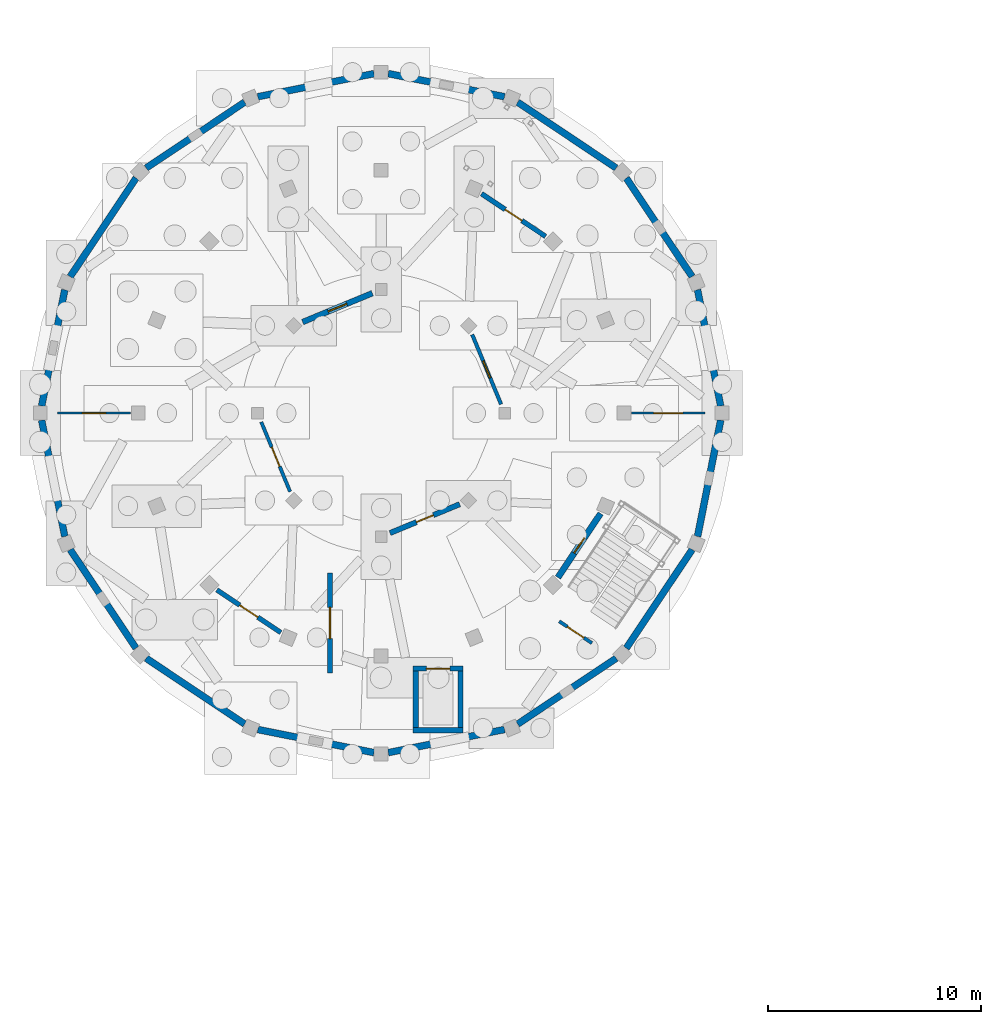
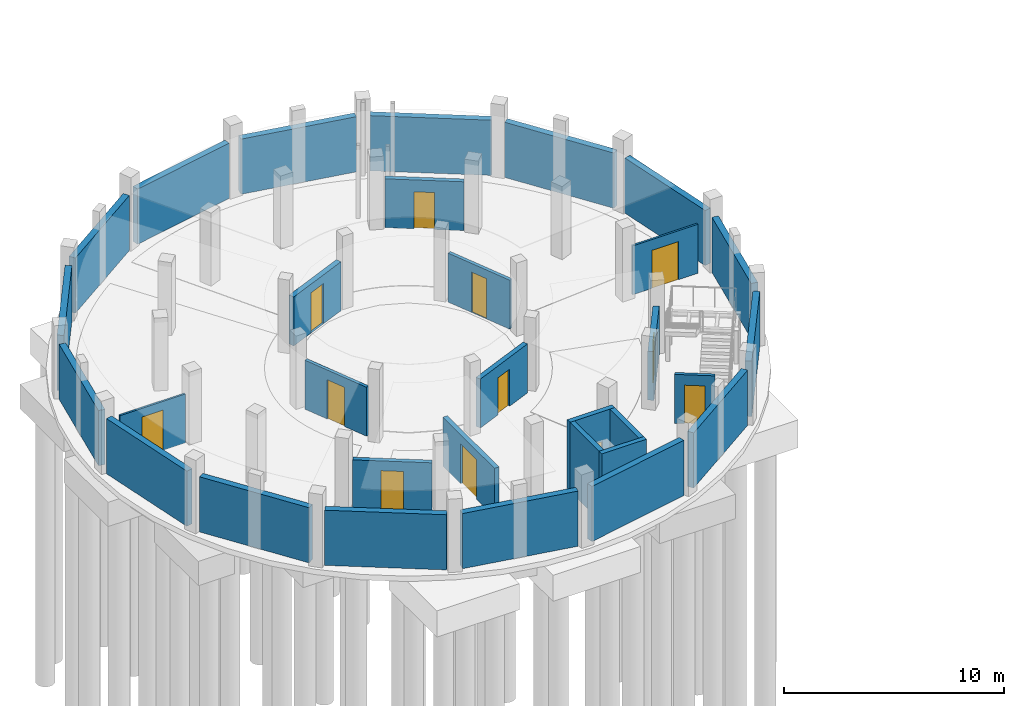
# One storey, part 44 of 58: 31 walls, 12 doors, 12 openings.
"""IFC4 building model written with IfcOpenShell, lengths in metres."""

from ifc_helpers import new_model, si_unit, direction, frame, frame_2d, origin, place, context, subcontext, project, spatial, rectangle, extrude, material, layer, layer_set, type_object, element, fill, save


model = new_model("IFC4")

# Units and contexts
model_context = context("Model", 3, precision=1e-05, world=origin(), true_north=direction((0.0, 1.0)))
body_context = subcontext(model_context, "Body", "Model", "MODEL_VIEW")
ifc_project = project(units=[si_unit("LENGTHUNIT", "METRE"), si_unit("AREAUNIT", "SQUARE_METRE"), si_unit("VOLUMEUNIT", "CUBIC_METRE"), si_unit("PLANEANGLEUNIT", "RADIAN"), si_unit("MASSUNIT", "GRAM", prefix="KILO")], contexts=[model_context])

# Site, building, storey
site_placement = place(None, origin())
site = spatial("IfcSite", under=ifc_project, at=site_placement, CompositionType="ELEMENT")
building_placement = place(site_placement, origin())
building = spatial("IfcBuilding", under=site, at=building_placement, Name="Caldaven Crescent School", CompositionType="ELEMENT")
storey_placement = place(building_placement, frame((0.0, 0.0, -4.080078125)))
storey = spatial("IfcBuildingStorey", under=building, at=storey_placement, Name="B1", CompositionType="ELEMENT", Elevation=-4.080078125)

# Wall, opening, door
ifc_material_1 = material(Name="Concrete C35/45", Category="concrete")
ifc_layer_1 = layer(ifc_material_1, 0.300048828125)
ifc_layer_set_1 = layer_set([ifc_layer_1], Name="Concrete C35/45")
wall_type_1 = type_object("IfcWallType", Name="WAL-CW1", PredefinedType="SHEAR", material=ifc_layer_set_1)
wall_1_placement = place(storey_placement, frame((24.997802734375, 86.51318359375, 0.0), z_axis=(0.0, 0.0, 1.0), x_axis=(1.0, 0.0, 0.0)))
wall_1 = element("IfcWall", 1, at=wall_1_placement, inside=storey, type_object=wall_type_1, Name="CW-LF2-B1-N", PredefinedType="SHEAR", context=body_context, shape_type="SweptSolid", body=[
    extrude(rectangle(XDim=2.349853515625, YDim=0.25, at=frame_2d((1.1748046875, 0.0))), origin(), (0.0, 0.0, 1.0), 3.820068359375),
])
opening_1_placement = place(wall_1_placement, frame((0.625, 0.0, 0.0)))
opening_1 = element("IfcOpeningElement", 2, at=opening_1_placement, cuts=wall_1, Name="Opening LD-LF2-B1", PredefinedType="OPENING", context=body_context, shape_type="SweptSolid", body=[
    extrude(rectangle(XDim=1.10009765625, YDim=2.14990234375, at=frame_2d((0.550048828125, 1.074951171875))), frame((0.0, 0.135009765625, 0.0), z_axis=(0.0, -1.0, 0.0), x_axis=(1.0, 0.0, 0.0)), (0.0, 0.0, 1.0), 0.27001953125),
])
ifc_material_2 = material(Name="Brushed stainless-steel automatic telescopic landing door", Category="steel")
door_type_1 = type_object("IfcDoorType", Name="DOR-LD01", OperationType="DOUBLE_DOOR_SLIDING", PredefinedType="DOOR", material=ifc_material_2)
door_1_placement = place(opening_1_placement, origin())
door_1 = element("IfcDoor", 3, at=door_1_placement, inside=storey, type_object=door_type_1, Name="DOR-LD-LF2-B1", OperationType="DOUBLE_DOOR_SLIDING", OverallHeight=2.14990234375, OverallWidth=1.10009765625, PredefinedType="DOOR", context=body_context, shape_type="SweptSolid", body=[
    extrude(rectangle(XDim=1.10009765625, YDim=2.14990234375, at=frame_2d((0.550048828125, 1.074951171875))), frame((0.0, 0.02490234375, 0.0), z_axis=(0.0, -1.0, 0.0), x_axis=(1.0, 0.0, 0.0)), (0.0, 0.0, 1.0), 0.050048828125),
])
fill(opening_1, door_1)

# Walls
wall_2_placement = place(storey_placement, frame((24.997802734375, 83.61328125, 0.0), z_axis=(0.0, 0.0, 1.0), x_axis=(1.0, 0.0, 0.0)))
element("IfcWall", 4, at=wall_2_placement, inside=storey, type_object=wall_type_1, Name="CW-LF2-B1-S", PredefinedType="SHEAR", context=body_context, shape_type="SweptSolid", body=[
    extrude(rectangle(XDim=2.349853515625, YDim=0.25, at=frame_2d((1.1748046875, 0.0))), origin(), (0.0, 0.0, 1.0), 3.820068359375),
])
ifc_layer_2 = layer(ifc_material_1, 0.25)
ifc_layer_set_2 = layer_set([ifc_layer_2], Name="Concrete C35/45")
wall_type_2 = type_object("IfcWallType", Name="WAL-CW2", PredefinedType="SHEAR", material=ifc_layer_set_2)
for number, where, z_axis, x_axis, name in (
    (5, (25.122802734375, 83.73828125, 0.0), (0.0, 0.0, 1.0), (0.0, 1.0, 0.0), "CW-LF2-B1-W"),
    (6, (27.22265625, 83.73828125, 0.0), (0.0, 0.0, 1.0), (0.0, 1.0, 0.0), "CW-LF2-B1-E"),
):
    element("IfcWall", number, at=place(storey_placement, frame(where, z_axis=z_axis, x_axis=x_axis)), inside=storey, type_object=wall_type_2, Name=name, PredefinedType="SHEAR", context=body_context, shape_type="SweptSolid", body=[
        extrude(rectangle(XDim=2.64990234375, YDim=0.25, at=frame_2d((1.324951171875, 0.0))), origin(), (0.0, 0.0, 1.0), 3.820068359375),
    ])

# Wall, opening, door
ifc_material_3 = material(Name="Acoustic timber-stud and fire-rated gypsum board assembly", Category="wood")
ifc_layer_3 = layer(ifc_material_3, 0.159912109375)
ifc_layer_set_3 = layer_set([ifc_layer_3], Name="Acoustic timber-stud and fire-rated gypsum board assembly")
wall_type_3 = type_object("IfcWallType", Name="WAL-IW01", PredefinedType="STANDARD", material=ifc_layer_set_3)
wall_3_placement = place(storey_placement, frame((33.39013671875, 87.706298828125, 0.0), z_axis=(0.0, 0.0, 1.0), x_axis=(-0.831498755856, 0.555526614133, 0.0)))
wall_3 = element("IfcWall", 7, at=wall_3_placement, inside=storey, type_object=wall_type_3, Name="IW-ST-STB1-B1", PredefinedType="STANDARD", context=body_context, shape_type="SweptSolid", body=[
    extrude(rectangle(XDim=1.840087890625, YDim=0.159912109375, at=frame_2d((0.919921875, 0.0))), origin(), (0.0, 0.0, 1.0), 2.719970703125),
])
opening_2_placement = place(wall_3_placement, frame((0.449951171875, 0.0, 0.0)))
opening_2 = element("IfcOpeningElement", 8, at=opening_2_placement, cuts=wall_3, Name="Opening FD-STB1-B1", PredefinedType="OPENING", context=body_context, shape_type="SweptSolid", body=[
    extrude(rectangle(XDim=0.93994140625, YDim=2.139892578125, at=frame_2d((0.469970703125, 1.06982421875))), frame((0.0, 0.08984375, 0.0), z_axis=(0.0, -1.0, 0.0), x_axis=(1.0, 0.0, 0.0)), (0.0, 0.0, 1.0), 0.179931640625),
])
ifc_material_4 = material(Name="Acoustic fire-rated steel-framed hardwood leaf", Category="steel")
door_type_2 = type_object("IfcDoorType", Name="DOR-FD01", OperationType="NOTDEFINED", PredefinedType="DOOR", material=ifc_material_4)
door_2_placement = place(opening_2_placement, frame((0.93994140625, 0.0, 0.0), z_axis=(0.0, 0.0, 1.0), x_axis=(-1.0, 0.0, 0.0)))
door_2 = element("IfcDoor", 9, at=door_2_placement, inside=storey, type_object=door_type_2, Name="DOR-ST-STB1-B1", OperationType="SINGLE_SWING_RIGHT", OverallHeight=2.139892578125, OverallWidth=0.93994140625, PredefinedType="DOOR", context=body_context, shape_type="SweptSolid", body=[
    extrude(rectangle(XDim=0.93994140625, YDim=2.139892578125, at=frame_2d((0.469970703125, 1.06982421875))), frame((0.0, 0.02490234375, 0.0), z_axis=(0.0, -1.0, 0.0), x_axis=(1.0, 0.0, 0.0)), (0.0, 0.0, 1.0), 0.050048828125),
])
fill(opening_2, door_2)

wall_4_placement = place(storey_placement, frame((17.872314453125, 98.084228515625, 0.0), z_axis=(0.0, 0.0, 1.0), x_axis=(0.382650326858, -0.923893244566, 0.0)))
wall_4 = element("IfcWall", 10, at=wall_4_placement, inside=storey, type_object=wall_type_3, Name="IW-B1-0048", PredefinedType="STANDARD", context=body_context, shape_type="SweptSolid", body=[
    extrude(rectangle(XDim=3.5390625, YDim=0.159912109375, at=frame_2d((1.76953125, 0.0))), origin(), (0.0, 0.0, 1.0), 2.719970703125),
])
opening_3_placement = place(wall_4_placement, frame((1.279541015625, 0.0, 0.0)))
opening_3 = element("IfcOpeningElement", 11, at=opening_3_placement, cuts=wall_4, Name="Opening D-B1-I034", PredefinedType="OPENING", context=body_context, shape_type="SweptSolid", body=[
    extrude(rectangle(XDim=0.97998046875, YDim=2.179931640625, at=frame_2d((0.489990234375, 1.08984375))), frame((0.0, 0.08984375, 0.0), z_axis=(0.0, -1.0, 0.0), x_axis=(1.0, 0.0, 0.0)), (0.0, 0.0, 1.0), 0.179931640625),
])
ifc_material_5 = material(Name="Solid-core Pino Radiata acoustic timber leaf in steel frame", Category="steel")
door_type_3 = type_object("IfcDoorType", Name="DOR-ID15", OperationType="NOTDEFINED", PredefinedType="DOOR", material=ifc_material_5)
door_3_placement = place(opening_3_placement, frame((0.97998046875, 0.0, 0.0), z_axis=(0.0, 0.0, 1.0), x_axis=(-1.0, 0.0, 0.0)))
door_3 = element("IfcDoor", 12, at=door_3_placement, inside=storey, type_object=door_type_3, Name="DOR-INT-B1-0034", OperationType="SINGLE_SWING_LEFT", OverallHeight=2.179931640625, OverallWidth=0.97998046875, PredefinedType="DOOR", context=body_context, shape_type="SweptSolid", body=[
    extrude(rectangle(XDim=0.97998046875, YDim=2.179931640625, at=frame_2d((0.489990234375, 1.08984375))), frame((0.0, 0.02490234375, 0.0), z_axis=(0.0, -1.0, 0.0), x_axis=(1.0, 0.0, 0.0)), (0.0, 0.0, 1.0), 0.050048828125),
])
fill(opening_3, door_3)

ifc_layer_4 = layer(ifc_material_3, 0.169921875)
ifc_layer_set_4 = layer_set([ifc_layer_4], Name="Acoustic timber-stud and fire-rated gypsum board assembly")
wall_type_4 = type_object("IfcWallType", Name="WAL-IW02", PredefinedType="STANDARD", material=ifc_layer_set_4)
wall_5_placement = place(storey_placement, frame((29.127685546875, 98.915771484375, 0.0), z_axis=(0.0, 0.0, 1.0), x_axis=(-0.382650326858, 0.923893244566, 0.0)))
wall_5 = element("IfcWall", 13, at=wall_5_placement, inside=storey, type_object=wall_type_4, Name="IW-B1-0033", PredefinedType="STANDARD", context=body_context, shape_type="SweptSolid", body=[
    extrude(rectangle(XDim=3.5390625, YDim=0.169921875, at=frame_2d((1.76953125, 0.0))), origin(), (0.0, 0.0, 1.0), 2.719970703125),
])
opening_4_placement = place(wall_5_placement, frame((1.339599609375, 0.0, 0.0)))
opening_4 = element("IfcOpeningElement", 14, at=opening_4_placement, cuts=wall_5, Name="Opening D-B1-I023", PredefinedType="OPENING", context=body_context, shape_type="SweptSolid", body=[
    extrude(rectangle(XDim=0.860107421875, YDim=2.239990234375, at=frame_2d((0.43017578125, 1.1201171875))), frame((0.0, 0.094970703125, 0.0), z_axis=(0.0, -1.0, 0.0), x_axis=(1.0, 0.0, 0.0)), (0.0, 0.0, 1.0), 0.18994140625),
])
door_type_4 = type_object("IfcDoorType", Name="DOR-ID04", OperationType="NOTDEFINED", PredefinedType="DOOR", material=ifc_material_5)
door_4_placement = place(opening_4_placement, frame((0.860107421875, 0.0, 0.0), z_axis=(0.0, 0.0, 1.0), x_axis=(-1.0, 0.0, 0.0)))
door_4 = element("IfcDoor", 15, at=door_4_placement, inside=storey, type_object=door_type_4, Name="DOR-INT-B1-0023", OperationType="SINGLE_SWING_RIGHT", OverallHeight=2.239990234375, OverallWidth=0.860107421875, PredefinedType="DOOR", context=body_context, shape_type="SweptSolid", body=[
    extrude(rectangle(XDim=0.860107421875, YDim=2.239990234375, at=frame_2d((0.43017578125, 1.1201171875))), frame((0.0, 0.02490234375, 0.0), z_axis=(0.0, -1.0, 0.0), x_axis=(1.0, 0.0, 0.0)), (0.0, 0.0, 1.0), 0.050048828125),
])
fill(opening_4, door_4)

ifc_layer_5 = layer(ifc_material_3, 0.219970703125)
ifc_layer_set_5 = layer_set([ifc_layer_5], Name="Acoustic timber-stud and fire-rated gypsum board assembly")
wall_type_5 = type_object("IfcWallType", Name="WAL-IW07", PredefinedType="STANDARD", material=ifc_layer_set_5)
wall_6_placement = place(storey_placement, frame((15.7880859375, 90.20556640625, 0.0), z_axis=(0.0, 0.0, 1.0), x_axis=(0.831487713405, -0.55554314185, 0.0)))
wall_6 = element("IfcWall", 16, at=wall_6_placement, inside=storey, type_object=wall_type_5, Name="IW-B1-0054", PredefinedType="STANDARD", context=body_context, shape_type="SweptSolid", body=[
    extrude(rectangle(XDim=3.60791015625, YDim=0.219970703125, at=frame_2d((1.803955078125, 0.0))), origin(), (0.0, 0.0, 1.0), 2.719970703125),
])
opening_5_placement = place(wall_6_placement, frame((1.2939453125, 0.0, 0.0)))
opening_5 = element("IfcOpeningElement", 17, at=opening_5_placement, cuts=wall_6, Name="Opening D-B1-I038", PredefinedType="OPENING", context=body_context, shape_type="SweptSolid", body=[
    extrude(rectangle(XDim=1.02001953125, YDim=2.179931640625, at=frame_2d((0.510009765625, 1.08984375))), frame((0.0, 0.119873046875, 0.0), z_axis=(0.0, -1.0, 0.0), x_axis=(1.0, 0.0, 0.0)), (0.0, 0.0, 1.0), 0.239990234375),
])
door_type_5 = type_object("IfcDoorType", Name="DOR-ID19", OperationType="NOTDEFINED", PredefinedType="DOOR", material=ifc_material_5)
door_5_placement = place(opening_5_placement, frame((1.02001953125, 0.0, 0.0), z_axis=(0.0, 0.0, 1.0), x_axis=(-1.0, 0.0, 0.0)))
door_5 = element("IfcDoor", 18, at=door_5_placement, inside=storey, type_object=door_type_5, Name="DOR-INT-B1-0038", OperationType="SINGLE_SWING_LEFT", OverallHeight=2.179931640625, OverallWidth=1.02001953125, PredefinedType="DOOR", context=body_context, shape_type="SweptSolid", body=[
    extrude(rectangle(XDim=1.02001953125, YDim=2.179931640625, at=frame_2d((0.510009765625, 1.08984375))), frame((0.0, 0.02490234375, 0.0), z_axis=(0.0, -1.0, 0.0), x_axis=(1.0, 0.0, 0.0)), (0.0, 0.0, 1.0), 0.050048828125),
])
fill(opening_5, door_5)

ifc_layer_6 = layer(ifc_material_3, 0.22998046875)
ifc_layer_set_6 = layer_set([ifc_layer_6], Name="Acoustic timber-stud and fire-rated gypsum board assembly")
wall_type_6 = type_object("IfcWallType", Name="WAL-IW08", PredefinedType="STANDARD", material=ifc_layer_set_6)
wall_7_placement = place(storey_placement, frame((31.2119140625, 106.79443359375, 0.0), z_axis=(0.0, 0.0, 1.0), x_axis=(-0.831487713405, 0.55554314185, 0.0)))
wall_7 = element("IfcWall", 19, at=wall_7_placement, inside=storey, type_object=wall_type_6, Name="IW-B1-0039", PredefinedType="STANDARD", context=body_context, shape_type="SweptSolid", body=[
    extrude(rectangle(XDim=3.60791015625, YDim=0.22998046875, at=frame_2d((1.803955078125, 0.0))), origin(), (0.0, 0.0, 1.0), 2.719970703125),
])
opening_6_placement = place(wall_7_placement, frame((1.333984375, 0.0, 0.0)))
opening_6 = element("IfcOpeningElement", 20, at=opening_6_placement, cuts=wall_7, Name="Opening D-B1-I028", PredefinedType="OPENING", context=body_context, shape_type="SweptSolid", body=[
    extrude(rectangle(XDim=0.93994140625, YDim=2.06005859375, at=frame_2d((0.469970703125, 1.030029296875))), frame((0.0, 0.125, 0.0), z_axis=(0.0, -1.0, 0.0), x_axis=(1.0, 0.0, 0.0)), (0.0, 0.0, 1.0), 0.25),
])
door_type_6 = type_object("IfcDoorType", Name="DOR-ID09", OperationType="NOTDEFINED", PredefinedType="DOOR", material=ifc_material_5)
door_6_placement = place(opening_6_placement, frame((0.93994140625, 0.0, 0.0), z_axis=(0.0, 0.0, 1.0), x_axis=(-1.0, 0.0, 0.0)))
door_6 = element("IfcDoor", 21, at=door_6_placement, inside=storey, type_object=door_type_6, Name="DOR-INT-B1-0028", OperationType="SINGLE_SWING_LEFT", OverallHeight=2.06005859375, OverallWidth=0.93994140625, PredefinedType="DOOR", context=body_context, shape_type="SweptSolid", body=[
    extrude(rectangle(XDim=0.93994140625, YDim=2.06005859375, at=frame_2d((0.469970703125, 1.030029296875))), frame((0.0, 0.02490234375, 0.0), z_axis=(0.0, -1.0, 0.0), x_axis=(1.0, 0.0, 0.0)), (0.0, 0.0, 1.0), 0.050048828125),
])
fill(opening_6, door_6)

ifc_layer_7 = layer(ifc_material_3, 0.239990234375)
ifc_layer_set_7 = layer_set([ifc_layer_7], Name="Acoustic timber-stud and fire-rated gypsum board assembly")
wall_type_7 = type_object("IfcWallType", Name="WAL-IW09", PredefinedType="STANDARD", material=ifc_layer_set_7)
wall_8_placement = place(storey_placement, frame((21.10009765625, 91.0, 0.0), z_axis=(0.0, 0.0, 1.0), x_axis=(0.0, -1.0, 0.0)))
wall_8 = element("IfcWall", 22, at=wall_8_placement, inside=storey, type_object=wall_type_7, Name="IW-FD-09", PredefinedType="STANDARD", context=body_context, shape_type="SweptSolid", body=[
    extrude(rectangle(XDim=4.699951171875, YDim=0.239990234375, at=frame_2d((2.35009765625, 0.0))), origin(), (0.0, 0.0, 1.0), 2.719970703125),
])
opening_7_placement = place(wall_8_placement, frame((1.6201171875, 0.0, 0.0)))
opening_7 = element("IfcOpeningElement", 23, at=opening_7_placement, cuts=wall_8, Name="Opening FD-X09", PredefinedType="OPENING", context=body_context, shape_type="SweptSolid", body=[
    extrude(rectangle(XDim=1.4599609375, YDim=2.219970703125, at=frame_2d((0.72998046875, 1.10986328125))), frame((0.0, 0.1298828125, 0.0), z_axis=(0.0, -1.0, 0.0), x_axis=(1.0, 0.0, 0.0)), (0.0, 0.0, 1.0), 0.260009765625),
])
door_type_7 = type_object("IfcDoorType", Name="DOR-FD09", OperationType="NOTDEFINED", PredefinedType="DOOR", material=ifc_material_4)
door_7_placement = place(opening_7_placement, origin())
door_7 = element("IfcDoor", 24, at=door_7_placement, inside=storey, type_object=door_type_7, Name="DOR-FD-EXTRA-09", OperationType="DOUBLE_DOOR_SINGLE_SWING", OverallHeight=2.219970703125, OverallWidth=1.4599609375, PredefinedType="DOOR", context=body_context, shape_type="SweptSolid", body=[
    extrude(rectangle(XDim=1.4599609375, YDim=2.219970703125, at=frame_2d((0.72998046875, 1.10986328125))), frame((0.0, 0.02490234375, 0.0), z_axis=(0.0, -1.0, 0.0), x_axis=(1.0, 0.0, 0.0)), (0.0, 0.0, 1.0), 0.050048828125),
])
fill(opening_7, door_7)

ifc_layer_8 = layer(ifc_material_3, 0.25)
ifc_layer_set_8 = layer_set([ifc_layer_8], Name="Acoustic timber-stud and fire-rated gypsum board assembly")
wall_type_8 = type_object("IfcWallType", Name="WAL-IW10", PredefinedType="STANDARD", material=ifc_layer_set_8)
wall_9_placement = place(storey_placement, frame((23.915771484375, 92.872314453125, 0.0), z_axis=(0.0, 0.0, 1.0), x_axis=(0.923893244566, 0.382650326858, 0.0)))
wall_9 = element("IfcWall", 25, at=wall_9_placement, inside=storey, type_object=wall_type_8, Name="IW-B1-0057", PredefinedType="STANDARD", context=body_context, shape_type="SweptSolid", body=[
    extrude(rectangle(XDim=3.5390625, YDim=0.25, at=frame_2d((1.76953125, 0.0))), origin(), (0.0, 0.0, 1.0), 2.719970703125),
])
opening_8_placement = place(wall_9_placement, frame((1.339599609375, 0.0, 0.0)))
opening_8 = element("IfcOpeningElement", 26, at=opening_8_placement, cuts=wall_9, Name="Opening D-B1-I040", PredefinedType="OPENING", context=body_context, shape_type="SweptSolid", body=[
    extrude(rectangle(XDim=0.860107421875, YDim=2.06005859375, at=frame_2d((0.43017578125, 1.030029296875))), frame((0.0, 0.135009765625, 0.0), z_axis=(0.0, -1.0, 0.0), x_axis=(1.0, 0.0, 0.0)), (0.0, 0.0, 1.0), 0.27001953125),
])
door_type_8 = type_object("IfcDoorType", Name="DOR-ID01", OperationType="NOTDEFINED", PredefinedType="DOOR", material=ifc_material_5)
door_8_placement = place(opening_8_placement, frame((0.860107421875, 0.0, 0.0), z_axis=(0.0, 0.0, 1.0), x_axis=(-1.0, 0.0, 0.0)))
door_8 = element("IfcDoor", 27, at=door_8_placement, inside=storey, type_object=door_type_8, Name="DOR-INT-B1-0040", OperationType="SINGLE_SWING_LEFT", OverallHeight=2.06005859375, OverallWidth=0.860107421875, PredefinedType="DOOR", context=body_context, shape_type="SweptSolid", body=[
    extrude(rectangle(XDim=0.860107421875, YDim=2.06005859375, at=frame_2d((0.43017578125, 1.030029296875))), frame((0.0, 0.02490234375, 0.0), z_axis=(0.0, -1.0, 0.0), x_axis=(1.0, 0.0, 0.0)), (0.0, 0.0, 1.0), 0.050048828125),
])
fill(opening_8, door_8)

ifc_material_6 = material(Name="Autoclaved aerated concrete block masonry G5", Category="masonry")
ifc_layer_9 = layer(ifc_material_6, 0.27001953125)
ifc_layer_set_9 = layer_set([ifc_layer_9], Name="Autoclaved aerated concrete block masonry G5")
wall_type_9 = type_object("IfcWallType", Name="WAL-IW12", PredefinedType="STANDARD", material=ifc_layer_set_9)
wall_10_placement = place(storey_placement, frame((23.084228515625, 104.127685546875, 0.0), z_axis=(0.0, 0.0, 1.0), x_axis=(-0.923893244566, -0.382650326858, 0.0)))
wall_10 = element("IfcWall", 28, at=wall_10_placement, inside=storey, type_object=wall_type_9, Name="IW-B1-0043", PredefinedType="STANDARD", context=body_context, shape_type="SweptSolid", body=[
    extrude(rectangle(XDim=3.5390625, YDim=0.27001953125, at=frame_2d((1.76953125, 0.0))), origin(), (0.0, 0.0, 1.0), 2.719970703125),
])
opening_9_placement = place(wall_10_placement, frame((1.299560546875, 0.0, 0.0)))
opening_9 = element("IfcOpeningElement", 29, at=opening_9_placement, cuts=wall_10, Name="Opening D-B1-I031", PredefinedType="OPENING", context=body_context, shape_type="SweptSolid", body=[
    extrude(rectangle(XDim=0.93994140625, YDim=2.239990234375, at=frame_2d((0.469970703125, 1.1201171875))), frame((0.0, 0.14501953125, 0.0), z_axis=(0.0, -1.0, 0.0), x_axis=(1.0, 0.0, 0.0)), (0.0, 0.0, 1.0), 0.2900390625),
])
door_type_9 = type_object("IfcDoorType", Name="DOR-ID12", OperationType="NOTDEFINED", PredefinedType="DOOR", material=ifc_material_5)
door_9_placement = place(opening_9_placement, frame((0.93994140625, 0.0, 0.0), z_axis=(0.0, 0.0, 1.0), x_axis=(-1.0, 0.0, 0.0)))
door_9 = element("IfcDoor", 30, at=door_9_placement, inside=storey, type_object=door_type_9, Name="DOR-INT-B1-0031", OperationType="SINGLE_SWING_RIGHT", OverallHeight=2.239990234375, OverallWidth=0.93994140625, PredefinedType="DOOR", context=body_context, shape_type="SweptSolid", body=[
    extrude(rectangle(XDim=0.93994140625, YDim=2.239990234375, at=frame_2d((0.469970703125, 1.1201171875))), frame((0.0, 0.02490234375, 0.0), z_axis=(0.0, -1.0, 0.0), x_axis=(1.0, 0.0, 0.0)), (0.0, 0.0, 1.0), 0.050048828125),
])
fill(opening_9, door_9)

ifc_layer_10 = layer(ifc_material_6, 0.2900390625)
ifc_layer_set_10 = layer_set([ifc_layer_10], Name="Autoclaved aerated concrete block masonry G5")
wall_type_10 = type_object("IfcWallType", Name="WAL-IW14", PredefinedType="STANDARD", material=ifc_layer_set_10)
wall_11_placement = place(storey_placement, frame((31.79443359375, 90.7880859375, 0.0), z_axis=(0.0, 0.0, 1.0), x_axis=(0.55554314185, 0.831487713405, 0.0)))
wall_11 = element("IfcWall", 31, at=wall_11_placement, inside=storey, type_object=wall_type_10, Name="IW-B1-0061", PredefinedType="STANDARD", context=body_context, shape_type="SweptSolid", body=[
    extrude(rectangle(XDim=3.60791015625, YDim=0.2900390625, at=frame_2d((1.803955078125, 0.0))), origin(), (0.0, 0.0, 1.0), 2.719970703125),
])
opening_10_placement = place(wall_11_placement, frame((1.3740234375, 0.0, 0.0)))
opening_10 = element("IfcOpeningElement", 32, at=opening_10_placement, cuts=wall_11, Name="Opening D-B1-I043", PredefinedType="OPENING", context=body_context, shape_type="SweptSolid", body=[
    extrude(rectangle(XDim=0.860107421875, YDim=2.239990234375, at=frame_2d((0.43017578125, 1.1201171875))), frame((0.0, 0.155029296875, 0.0), z_axis=(0.0, -1.0, 0.0), x_axis=(1.0, 0.0, 0.0)), (0.0, 0.0, 1.0), 0.31005859375),
])
door_10_placement = place(opening_10_placement, frame((0.860107421875, 0.0, 0.0), z_axis=(0.0, 0.0, 1.0), x_axis=(-1.0, 0.0, 0.0)))
door_10 = element("IfcDoor", 33, at=door_10_placement, inside=storey, type_object=door_type_4, Name="DOR-INT-B1-0043", OperationType="SINGLE_SWING_RIGHT", OverallHeight=2.239990234375, OverallWidth=0.860107421875, PredefinedType="DOOR", context=body_context, shape_type="SweptSolid", body=[
    extrude(rectangle(XDim=0.860107421875, YDim=2.239990234375, at=frame_2d((0.43017578125, 1.1201171875))), frame((0.0, 0.02490234375, 0.0), z_axis=(0.0, -1.0, 0.0), x_axis=(1.0, 0.0, 0.0)), (0.0, 0.0, 1.0), 0.050048828125),
])
fill(opening_10, door_10)

ifc_material_7 = material(Name="Acoustic double-layer gypsum partition on galvanised steel studs", Category="steel")
ifc_layer_11 = layer(ifc_material_7, 0.097900390625)
ifc_layer_set_11 = layer_set([ifc_layer_11], Name="Acoustic double-layer gypsum partition on galvanised steel studs")
wall_type_11 = type_object("IfcWallType", Name="WAL-PT03", PredefinedType="PARTITIONING", material=ifc_layer_set_11)
wall_12_placement = place(storey_placement, frame((11.739990234375, 98.5, 0.0), z_axis=(0.0, 0.0, 1.0), x_axis=(-1.0, 0.0, 0.0)))
wall_12 = element("IfcWall", 34, at=wall_12_placement, inside=storey, type_object=wall_type_11, Name="IW-B1-0050", PredefinedType="PARTITIONING", context=body_context, shape_type="SweptSolid", body=[
    extrude(rectangle(XDim=3.429931640625, YDim=0.097900390625, at=frame_2d((1.71484375, 0.0))), origin(), (0.0, 0.0, 1.0), 2.719970703125),
])
opening_11_placement = place(wall_12_placement, frame((1.1650390625, 0.0, 0.0)))
opening_11 = element("IfcOpeningElement", 35, at=opening_11_placement, cuts=wall_12, Name="Opening D-B1-I035", PredefinedType="OPENING", context=body_context, shape_type="SweptSolid", body=[
    extrude(rectangle(XDim=1.10009765625, YDim=2.239990234375, at=frame_2d((0.550048828125, 1.1201171875))), frame((0.0, 0.058837890625, 0.0), z_axis=(0.0, -1.0, 0.0), x_axis=(1.0, 0.0, 0.0)), (0.0, 0.0, 1.0), 0.117919921875),
])
door_type_10 = type_object("IfcDoorType", Name="DOR-ID28", OperationType="NOTDEFINED", PredefinedType="DOOR", material=ifc_material_5)
door_11_placement = place(opening_11_placement, frame((1.10009765625, 0.0, 0.0), z_axis=(0.0, 0.0, 1.0), x_axis=(-1.0, 0.0, 0.0)))
door_11 = element("IfcDoor", 36, at=door_11_placement, inside=storey, type_object=door_type_10, Name="DOR-INT-B1-0035", OperationType="SINGLE_SWING_RIGHT", OverallHeight=2.239990234375, OverallWidth=1.10009765625, PredefinedType="DOOR", context=body_context, shape_type="SweptSolid", body=[
    extrude(rectangle(XDim=1.10009765625, YDim=2.239990234375, at=frame_2d((0.550048828125, 1.1201171875))), frame((0.0, 0.02490234375, 0.0), z_axis=(0.0, -1.0, 0.0), x_axis=(1.0, 0.0, 0.0)), (0.0, 0.0, 1.0), 0.050048828125),
])
fill(opening_11, door_11)

ifc_layer_12 = layer(ifc_material_7, 0.10400390625)
ifc_layer_set_12 = layer_set([ifc_layer_12], Name="Acoustic double-layer gypsum partition on galvanised steel studs")
wall_type_12 = type_object("IfcWallType", Name="WAL-PT04", PredefinedType="PARTITIONING", material=ifc_layer_set_12)
wall_13_placement = place(storey_placement, frame((35.260009765625, 98.5, 0.0), z_axis=(0.0, 0.0, 1.0), x_axis=(1.0, 0.0, 0.0)))
wall_13 = element("IfcWall", 37, at=wall_13_placement, inside=storey, type_object=wall_type_12, Name="IW-B1-0035", PredefinedType="PARTITIONING", context=body_context, shape_type="SweptSolid", body=[
    extrude(rectangle(XDim=3.429931640625, YDim=0.10400390625, at=frame_2d((1.71484375, 0.0))), origin(), (0.0, 0.0, 1.0), 2.719970703125),
])
opening_12_placement = place(wall_13_placement, frame((1.02490234375, 0.0, 0.0)))
opening_12 = element("IfcOpeningElement", 38, at=opening_12_placement, cuts=wall_13, Name="Opening D-B1-I025", PredefinedType="OPENING", context=body_context, shape_type="SweptSolid", body=[
    extrude(rectangle(XDim=1.3798828125, YDim=2.1201171875, at=frame_2d((0.68994140625, 1.06005859375))), frame((0.0, 0.06201171875, 0.0), z_axis=(0.0, -1.0, 0.0), x_axis=(1.0, 0.0, 0.0)), (0.0, 0.0, 1.0), 0.1240234375),
])
door_type_11 = type_object("IfcDoorType", Name="DOR-ID46", OperationType="NOTDEFINED", PredefinedType="DOOR", material=ifc_material_5)
door_12_placement = place(opening_12_placement, frame((1.3798828125, 0.0, 0.0), z_axis=(0.0, 0.0, 1.0), x_axis=(-1.0, 0.0, 0.0)))
door_12 = element("IfcDoor", 39, at=door_12_placement, inside=storey, type_object=door_type_11, Name="DOR-INT-B1-0025", OperationType="SINGLE_SWING_RIGHT", OverallHeight=2.1201171875, OverallWidth=1.3798828125, PredefinedType="DOOR", context=body_context, shape_type="SweptSolid", body=[
    extrude(rectangle(XDim=1.3798828125, YDim=2.1201171875, at=frame_2d((0.68994140625, 1.06005859375))), frame((0.0, 0.02490234375, 0.0), z_axis=(0.0, -1.0, 0.0), x_axis=(1.0, 0.0, 0.0)), (0.0, 0.0, 1.0), 0.050048828125),
])
fill(opening_12, door_12)

# Walls
ifc_material_8 = material(Name="Concrete C30/37", Category="concrete")
ifc_layer_13 = layer(ifc_material_8, 0.320068359375)
ifc_layer_set_13 = layer_set([ifc_layer_13], Name="Concrete C30/37")
wall_type_13 = type_object("IfcWallType", Name="WAL-RW2", PredefinedType="USERDEFINED", material=ifc_layer_set_13)
for number, where, z_axis, x_axis, name in (
    (40, (39.43359375, 98.83349609375, 0.0), (0.0, 0.0, 1.0), (-0.195077927761, 0.980787745692, 0.0), "RW-V2-B1-00"),
    (41, (38.09326171875, 104.905517578125, 0.0), (0.0, 0.0, 1.0), (-0.555560752318, 0.831475947027, 0.0), "RW-V2-B1-01"),
    (42, (34.531005859375, 110.002685546875, 0.0), (0.0, 0.0, 1.0), (-0.831475947027, 0.555560752318, 0.0), "RW-V2-B1-02"),
    (43, (29.28955078125, 113.348388671875, 0.0), (0.0, 0.0, 1.0), (-0.980787745692, 0.195077927761, 0.0), "RW-V2-B1-03"),
    (44, (23.16650390625, 114.43359375, 0.0), (0.0, 0.0, 1.0), (-0.980787745692, -0.195077927761, 0.0), "RW-V2-B1-04"),
    (45, (17.094482421875, 113.09326171875, 0.0), (0.0, 0.0, 1.0), (-0.831475947027, -0.555560752318, 0.0), "RW-V2-B1-05"),
    (46, (11.997314453125, 109.531005859375, 0.0), (0.0, 0.0, 1.0), (-0.555560752318, -0.831475947027, 0.0), "RW-V2-B1-06"),
    (47, (8.651611328125, 104.28955078125, 0.0), (0.0, 0.0, 1.0), (-0.195077927761, -0.980787745692, 0.0), "RW-V2-B1-07"),
    (48, (7.56640625, 98.16650390625, 0.0), (0.0, 0.0, 1.0), (0.195077927761, -0.980787745692, 0.0), "RW-V2-B1-08"),
    (49, (8.90673828125, 92.094482421875, 0.0), (0.0, 0.0, 1.0), (0.555560752318, -0.831475947027, 0.0), "RW-V2-B1-09"),
    (50, (12.468994140625, 86.997314453125, 0.0), (0.0, 0.0, 1.0), (0.831475947027, -0.555560752318, 0.0), "RW-V2-B1-10"),
    (51, (17.71044921875, 83.651611328125, 0.0), (0.0, 0.0, 1.0), (0.980787745692, -0.195077927761, 0.0), "RW-V2-B1-11"),
    (52, (23.83349609375, 82.56640625, 0.0), (0.0, 0.0, 1.0), (0.980787745692, 0.195077927761, 0.0), "RW-V2-B1-12"),
    (53, (29.905517578125, 83.90673828125, 0.0), (0.0, 0.0, 1.0), (0.831475947027, 0.555560752318, 0.0), "RW-V2-B1-13"),
    (54, (35.002685546875, 87.468994140625, 0.0), (0.0, 0.0, 1.0), (0.555560752318, 0.831475947027, 0.0), "RW-V2-B1-14"),
    (55, (38.348388671875, 92.71044921875, 0.0), (0.0, 0.0, 1.0), (0.195077927761, 0.980787745692, 0.0), "RW-V2-B1-15"),
):
    element("IfcWall", number, at=place(storey_placement, frame(where, z_axis=z_axis, x_axis=x_axis)), inside=storey, type_object=wall_type_13, Name=name, ObjectType="RETAININGWALL", PredefinedType="USERDEFINED", context=body_context, shape_type="SweptSolid", body=[
        extrude(rectangle(XDim=5.56298828125, YDim=0.320068359375, at=frame_2d((2.781494140625, 0.0))), origin(), (0.0, 0.0, 1.0), 3.065185546875),
    ])

save(model, "model.ifc")
